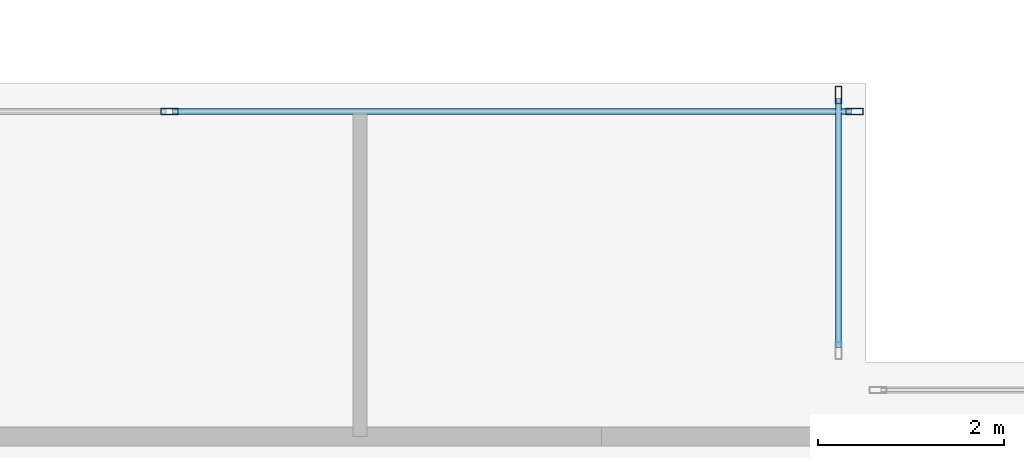
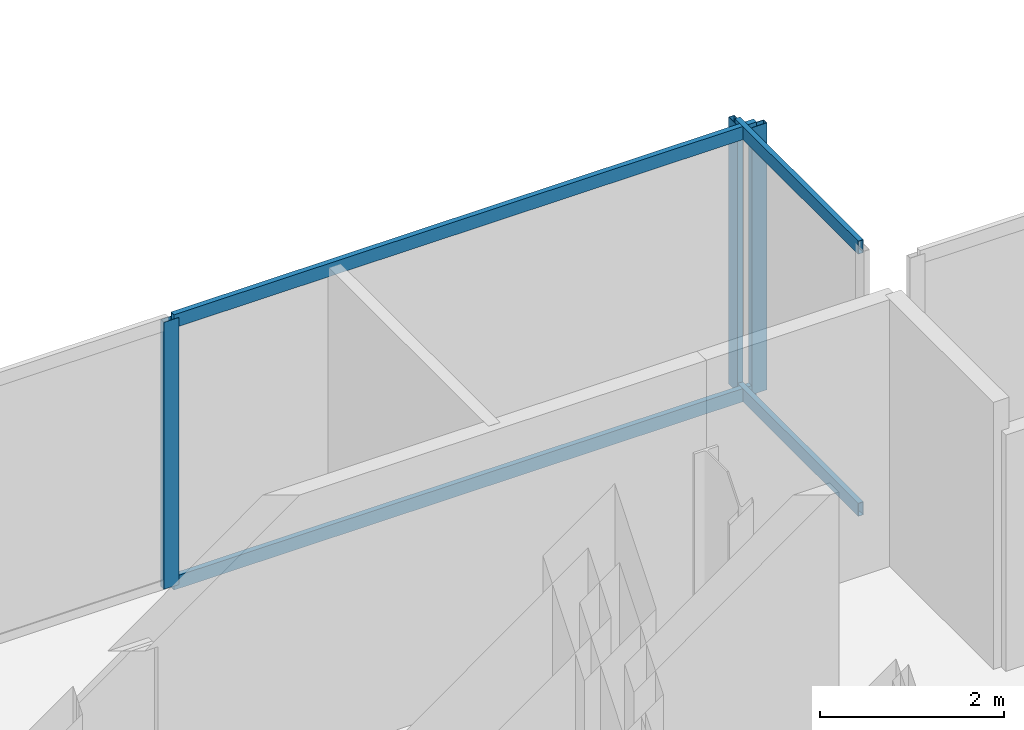
# One storey, part 12 of 21: 7 members, 2 elements without a shape of their own.
"""IFC4 building model written with IfcOpenShell, lengths in metres."""

from ifc_helpers import new_model, si_unit, direction, frame, origin, origin_2d, place, context, subcontext, project, spatial, hollow_rectangle, extrude, material, layer, layer_set, material_profile, profile_set, type_object, element, aggregate, save


model = new_model("IFC4")

# Units and contexts
model_context = context("Model", 3, precision=1e-05, world=origin(), true_north=direction((0.0, 1.0)))
body_context = subcontext(model_context, "Body", "Model", "MODEL_VIEW")
ifc_project = project(units=[si_unit("LENGTHUNIT", "METRE"), si_unit("AREAUNIT", "SQUARE_METRE"), si_unit("VOLUMEUNIT", "CUBIC_METRE"), si_unit("PLANEANGLEUNIT", "RADIAN"), si_unit("MASSUNIT", "GRAM", prefix="KILO"), si_unit("THERMODYNAMICTEMPERATUREUNIT", "KELVIN"), si_unit("POWERUNIT", "WATT")], contexts=[model_context])

# Site, building, storey
site_placement = place(None, origin())
site = spatial("IfcSite", under=ifc_project, at=site_placement, CompositionType="ELEMENT")
building_placement = place(site_placement, origin())
building = spatial("IfcBuilding", under=site, at=building_placement, Name="Svarakhadi Broadcast Tower", CompositionType="ELEMENT")
storey_placement = place(building_placement, frame((0.0, 0.0, 223.64990234375)))
storey = spatial("IfcBuildingStorey", under=building, at=storey_placement, Name="L55", CompositionType="ELEMENT", Elevation=223.64990234375)

# Curtain wall, members
ifc_material = material(Name="Anodised Bronze Aluminium AA 6063-T6", Category="aluminium")
ifc_layer = layer(ifc_material, 0.18994140625)
ifc_layer_set = layer_set([ifc_layer], Name="Anodised Bronze Aluminium AA 6063-T6")
curtain_wall_type = type_object("IfcCurtainWallType", Name="CW_Sys_04", PredefinedType="NOTDEFINED", material=ifc_layer_set)
curtain_wall_1_placement = place(storey_placement, origin())
curtain_wall_1 = element("IfcCurtainWall", 1, at=curtain_wall_1_placement, inside=storey, type_object=curtain_wall_type, Name="L55 Unitised Facade Curtain Wall 10", PredefinedType="NOTDEFINED")
ifc_material_profile_1 = material_profile(ifc_material, hollow_rectangle(XDim=0.070068359375, YDim=0.18994140625, WallThickness=0.005615234375, at=origin_2d()), Name="ALU MULLION 190x70x6")
ifc_profile_set_1 = profile_set([ifc_material_profile_1], Name="Anodised Bronze Aluminium AA 6063-T6")
member_type_1 = type_object("IfcMemberType", Name="CW_Sys_04_Mul", PredefinedType="MULLION", material=ifc_profile_set_1)
member_1_placement = place(storey_placement, frame((31.5, 23.699951171875, 0.0), z_axis=(0.0, 0.0, 1.0), x_axis=(0.0, 1.0, 0.0)))
member_1 = element("IfcMember", 2, at=member_1_placement, type_object=member_type_1, Name="CW-04 mullion 2", PredefinedType="MULLION", context=body_context, shape_type="SweptSolid", body=[
    extrude(hollow_rectangle(XDim=0.070068359375, YDim=0.18994140625, WallThickness=0.005615234375, at=origin_2d()), origin(), (0.0, 0.0, 1.0), 3.5400390625),
])
member_2_placement = place(storey_placement, frame((38.875, 23.699951171875, 0.0), z_axis=(0.0, 0.0, 1.0), x_axis=(0.0, 1.0, 0.0)))
member_2 = element("IfcMember", 3, at=member_2_placement, type_object=member_type_1, Name="CW-04 mullion 3", PredefinedType="MULLION", context=body_context, shape_type="SweptSolid", body=[
    extrude(hollow_rectangle(XDim=0.070068359375, YDim=0.18994140625, WallThickness=0.005615234375, at=origin_2d()), origin(), (0.0, 0.0, 1.0), 3.5400390625),
])

# Curtain wall, member
curtain_wall_2_placement = place(storey_placement, origin())
curtain_wall_2 = element("IfcCurtainWall", 4, at=curtain_wall_2_placement, inside=storey, type_object=curtain_wall_type, Name="L55 Unitised Facade Curtain Wall 11", PredefinedType="NOTDEFINED")
member_3_placement = place(storey_placement, frame((38.699951171875, 23.875, 0.0), z_axis=(0.0, 0.0, 1.0), x_axis=(1.0, 0.0, 0.0)))
member_3 = element("IfcMember", 5, at=member_3_placement, type_object=member_type_1, Name="CW-04 mullion 1", PredefinedType="MULLION", context=body_context, shape_type="SweptSolid", body=[
    extrude(hollow_rectangle(XDim=0.070068359375, YDim=0.18994140625, WallThickness=0.005615234375, at=origin_2d()), origin(), (0.0, 0.0, 1.0), 3.5400390625),
])

# Member
ifc_material_profile_2 = material_profile(ifc_material, hollow_rectangle(XDim=0.06494140625, YDim=0.175048828125, WallThickness=0.0048828125, at=origin_2d()), Name="ALU TRANSOM 175x65x5")
ifc_profile_set_2 = profile_set([ifc_material_profile_2], Name="Anodised Bronze Aluminium AA 6063-T6")
member_type_2 = type_object("IfcMemberType", Name="CW_Sys_04_Trn", PredefinedType="USERDEFINED", material=ifc_profile_set_2)
member_4_placement = place(storey_placement, frame((31.534912109375, 23.699951171875, 0.03271484375), z_axis=(1.0, 0.0, 0.0), x_axis=(0.0, 1.0, 0.0)))
member_4 = element("IfcMember", 6, at=member_4_placement, type_object=member_type_2, Name="CW-04 transom 2.1", ObjectType="TRANSOM", PredefinedType="USERDEFINED", context=body_context, shape_type="SweptSolid", body=[
    extrude(hollow_rectangle(XDim=0.06494140625, YDim=0.175048828125, WallThickness=0.0048828125, at=origin_2d()), origin(), (0.0, 0.0, 1.0), 7.30517578125),
])

member_5_placement = place(storey_placement, frame((31.534912109375, 23.699951171875, 3.507568359375), z_axis=(1.0, 0.0, 0.0), x_axis=(0.0, 1.0, 0.0)))
member_5 = element("IfcMember", 7, at=member_5_placement, type_object=member_type_2, Name="CW-04 transom 2.2", ObjectType="TRANSOM", PredefinedType="USERDEFINED", context=body_context, shape_type="SweptSolid", body=[
    extrude(hollow_rectangle(XDim=0.06494140625, YDim=0.175048828125, WallThickness=0.0048828125, at=origin_2d()), origin(), (0.0, 0.0, 1.0), 7.30517578125),
])

aggregate(curtain_wall_1, [member_1, member_2, member_4, member_5])

member_6_placement = place(storey_placement, frame((38.699951171875, 23.840087890625, 0.03271484375), z_axis=(0.0, -1.0, 0.0), x_axis=(1.0, 0.0, 0.0)))
member_6 = element("IfcMember", 8, at=member_6_placement, type_object=member_type_2, Name="CW-04 transom 1.1", ObjectType="TRANSOM", PredefinedType="USERDEFINED", context=body_context, shape_type="SweptSolid", body=[
    extrude(hollow_rectangle(XDim=0.06494140625, YDim=0.175048828125, WallThickness=0.0048828125, at=origin_2d()), origin(), (0.0, 0.0, 1.0), 2.68017578125),
])

member_7_placement = place(storey_placement, frame((38.699951171875, 23.840087890625, 3.507568359375), z_axis=(0.0, -1.0, 0.0), x_axis=(1.0, 0.0, 0.0)))
member_7 = element("IfcMember", 9, at=member_7_placement, type_object=member_type_2, Name="CW-04 transom 1.2", ObjectType="TRANSOM", PredefinedType="USERDEFINED", context=body_context, shape_type="SweptSolid", body=[
    extrude(hollow_rectangle(XDim=0.06494140625, YDim=0.175048828125, WallThickness=0.0048828125, at=origin_2d()), origin(), (0.0, 0.0, 1.0), 2.68017578125),
])

aggregate(curtain_wall_2, [member_3, member_6, member_7])

save(model, "model.ifc")
